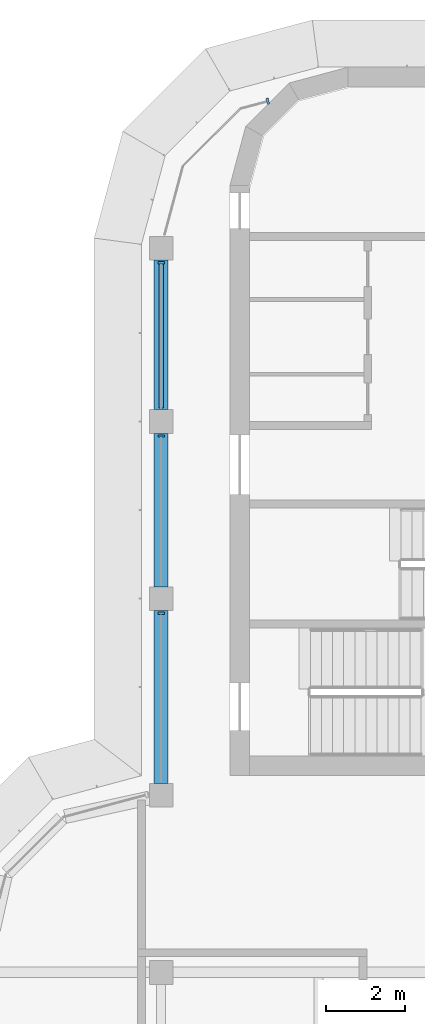
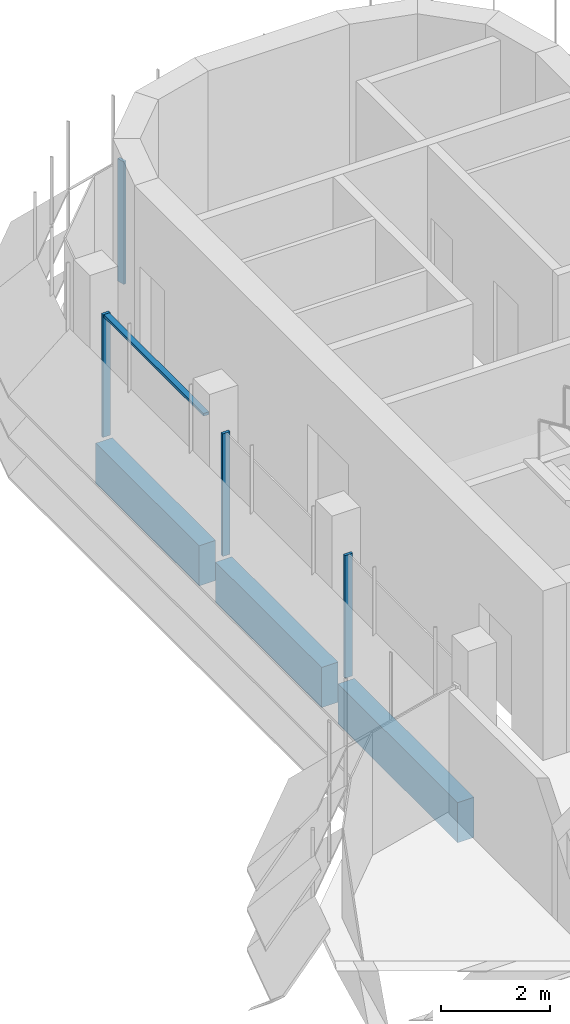
# One storey, part 7 of 19: 5 members, 3 beams, 2 elements without a shape of their own.
"""IFC4 building model written with IfcOpenShell, lengths in metres."""

import ifcopenshell
import ifcopenshell.guid

model = None  # the IFC model being written
_history = None  # IfcOwnerHistory: only IFC2X3 demands one
_inside = {}  # id of a spatial element -> (the spatial element, [elements in it])
_under = {}  # id of a project, library or spatial element -> (it, [spatial elements below it])
_declared = {}  # id of a project -> (the project, [libraries it declares])
_typed = {}  # id of a type object -> (the type object, [elements of that type])
_made_of = {}  # id of a material, layer set ... -> (it, [elements and type objects made of it])


def new_model(schema):
    """Start an empty IFC model of exactly this schema.

    Asked for "IFC4X3", IfcOpenShell would pick the latest addendum, in which some entities
    have other attributes; the version numbers below select the first issue.
    IFC2X3 requires an IfcOwnerHistory on every rooted entity: one is made here for all.
    """
    global model, _history
    if schema == "IFC4X3":
        model = ifcopenshell.file(schema_version=(4, 3, 0, 0))
    else:
        model = ifcopenshell.file(schema=schema)
    _inside.clear()
    _under.clear()
    _declared.clear()
    _typed.clear()
    _made_of.clear()
    _history = None
    if model.schema == "IFC2X3":
        org = make("IfcOrganization", Name="unknown")
        user = make(
            "IfcPersonAndOrganization",
            ThePerson=make("IfcPerson", FamilyName="unknown"),
            TheOrganization=org,
        )
        app = make(
            "IfcApplication",
            ApplicationDeveloper=org,
            Version="unknown",
            ApplicationFullName="unknown",
            ApplicationIdentifier="unknown",
        )
        _history = make(
            "IfcOwnerHistory",
            OwningUser=user,
            OwningApplication=app,
            ChangeAction="ADDED",
            CreationDate=0,
        )
    return model


def make(cls, **values):
    """One entity of the class cls with the attributes given. An attribute that is None is left unset."""
    return model.create_entity(
        cls, **{name: value for name, value in values.items() if value is not None}
    )


def rooted(cls, **values):
    """An entity with a GlobalId (a new one), such as an element, a storey or a relation."""
    return make(cls, GlobalId=ifcopenshell.guid.new(), OwnerHistory=_history, **values)


def si_unit(unit_type, name, prefix=None):
    """IfcSIUnit, for example si_unit("LENGTHUNIT", "METRE", prefix="MILLI")."""
    return make("IfcSIUnit", UnitType=unit_type, Prefix=prefix, Name=name)


def assignment(units):
    """IfcUnitAssignment: the units of a project."""
    return None if units is None else make("IfcUnitAssignment", Units=units)


def point(xyz):
    """IfcCartesianPoint."""
    return None if xyz is None else make("IfcCartesianPoint", Coordinates=xyz)


def direction(xyz):
    """IfcDirection."""
    return None if xyz is None else make("IfcDirection", DirectionRatios=xyz)


def frame(location, z_axis=None, x_axis=None):
    """IfcAxis2Placement3D, a coordinate frame: its origin and axes. An axis left out is left unset."""
    return make(
        "IfcAxis2Placement3D",
        Location=point(location),
        Axis=direction(z_axis),
        RefDirection=direction(x_axis),
    )


def frame_2d(location, x_axis=None):
    """IfcAxis2Placement2D, a coordinate frame in the plane: its origin and x axis."""
    return make(
        "IfcAxis2Placement2D", Location=point(location), RefDirection=direction(x_axis)
    )


def origin():
    """The frame at (0, 0, 0) with its axes left unset."""
    return frame((0.0, 0.0, 0.0))


def origin_2d():
    """The frame at (0, 0) in the plane with its x axis left unset."""
    return frame_2d((0.0, 0.0))


def place(relative_to, where):
    """IfcLocalPlacement: puts the frame where relative to a parent placement (None: the world)."""
    return make(
        "IfcLocalPlacement", PlacementRelTo=relative_to, RelativePlacement=where
    )


def context(
    kind, dimensions, precision=None, world=None, true_north=None, identifier=None
):
    """IfcGeometricRepresentationContext, for example the 3D "Model" context."""
    return make(
        "IfcGeometricRepresentationContext",
        ContextIdentifier=identifier,
        ContextType=kind,
        CoordinateSpaceDimension=dimensions,
        Precision=precision,
        WorldCoordinateSystem=world,
        TrueNorth=true_north,
    )


def subcontext(parent, identifier, kind, view, scale=None):
    """IfcGeometricRepresentationSubContext, for example "Body" below "Model"."""
    return make(
        "IfcGeometricRepresentationSubContext",
        ContextIdentifier=identifier,
        ContextType=kind,
        ParentContext=parent,
        TargetScale=scale,
        TargetView=view,
    )


def project(units=None, contexts=None):
    """IfcProject with its units and contexts."""
    return rooted(
        "IfcProject",
        Name="project",
        RepresentationContexts=contexts,
        UnitsInContext=assignment(units),
    )


def spatial(cls, under=None, at=None, **own):
    """A site, building, storey or space (cls), placed at a placement, below another one or the project."""
    s = rooted(cls, ObjectPlacement=at, **own)
    if under is not None:
        _under.setdefault(under.id(), (under, []))[1].append(s)
    return s


def polyline(points):
    """IfcPolyline through the points."""
    return make("IfcPolyline", Points=[point(p) for p in points])


def profile(cls, at=None, kind="AREA", **sizes):
    """A parametric profile (cls). Its sizes go by their IFC names, for example OverallWidth=200.0."""
    return make(cls, ProfileType=kind, Position=at, **sizes)


def rectangle(**sizes):
    """IfcRectangleProfileDef."""
    return profile("IfcRectangleProfileDef", **sizes)


def outline(outer, holes=None, kind="AREA"):
    """IfcArbitraryClosedProfileDef: a profile drawn as a closed curve; with holes, ...WithVoids."""
    if holes is None:
        return make("IfcArbitraryClosedProfileDef", ProfileType=kind, OuterCurve=outer)
    return make(
        "IfcArbitraryProfileDefWithVoids",
        ProfileType=kind,
        OuterCurve=outer,
        InnerCurves=holes,
    )


def extrude(swept, where, along, depth):
    """IfcExtrudedAreaSolid: the profile swept, set in the frame where, extruded along a direction by depth."""
    return make(
        "IfcExtrudedAreaSolid",
        SweptArea=swept,
        Position=where,
        ExtrudedDirection=direction(along),
        Depth=depth,
    )


def shape(context_of_items, identifier, shape_type, items):
    """IfcShapeRepresentation: the items that make up one representation, for example the "Body"."""
    return make(
        "IfcShapeRepresentation",
        ContextOfItems=context_of_items,
        RepresentationIdentifier=identifier,
        RepresentationType=shape_type,
        Items=items,
    )


def source(mapping_origin, context_of_items, identifier, shape_type, items):
    """IfcRepresentationMap: a shape defined once, which mapped items show again and again."""
    return make(
        "IfcRepresentationMap",
        MappingOrigin=mapping_origin,
        MappedRepresentation=shape(context_of_items, identifier, shape_type, items),
    )


def transform(
    local_origin,
    x_axis=None,
    y_axis=None,
    z_axis=None,
    scale=None,
    scale2=None,
    scale3=None,
    uniform=True,
):
    """IfcCartesianTransformationOperator3D, or its non-uniform kind. x_axis, y_axis, z_axis: its Axis1, 2, 3."""
    if uniform:
        return make(
            "IfcCartesianTransformationOperator3D",
            Axis1=direction(x_axis),
            Axis2=direction(y_axis),
            LocalOrigin=point(local_origin),
            Scale=scale,
            Axis3=direction(z_axis),
        )
    return make(
        "IfcCartesianTransformationOperator3DnonUniform",
        Axis1=direction(x_axis),
        Axis2=direction(y_axis),
        LocalOrigin=point(local_origin),
        Scale=scale,
        Axis3=direction(z_axis),
        Scale2=scale2,
        Scale3=scale3,
    )


def mapped(mapping_source, mapping_target):
    """IfcMappedItem: shows the shape of a source again, moved by a transform."""
    return make(
        "IfcMappedItem", MappingSource=mapping_source, MappingTarget=mapping_target
    )


def material(Name=None, Category=None):
    """IfcMaterial."""
    return make("IfcMaterial", Name=Name, Category=Category)


def material_profile(
    of_material, cross_section, Name=None, Category=None, Priority=None
):
    """IfcMaterialProfile: a cross section and its material."""
    return make(
        "IfcMaterialProfile",
        Name=Name,
        Material=of_material,
        Profile=cross_section,
        Priority=Priority,
        Category=Category,
    )


def profile_set(profiles, Name=None, composite=None):
    """IfcMaterialProfileSet."""
    return make(
        "IfcMaterialProfileSet",
        Name=Name,
        MaterialProfiles=profiles,
        CompositeProfile=composite,
    )


def made_of(thing, what):
    """Note that an element or type object is made of a material, layer set ...; save() writes the relation."""
    if what is not None:
        _made_of.setdefault(what.id(), (what, []))[1].append(thing)
    return thing


def type_object(cls, material=None, **own):
    """A type object (cls), such as IfcWallType, which elements share."""
    return made_of(rooted(cls, **own), material)


def element(
    cls,
    number,
    at=None,
    inside=None,
    cuts=None,
    type_object=None,
    material=None,
    context=None,
    identifier="Body",
    shape_type=None,
    held_by="IfcProductDefinitionShape",
    body=None,
    shapes=None,
    **own,
):
    """One element of the class cls, such as IfcWall. Its Tag is "e" and its number.

    at: its placement. inside: the storey or other place that contains it. cuts: it is an
    opening in that element (IfcRelVoidsElement). A single representation is given by context,
    identifier, shape_type and body (its items); several are given by shapes. held_by: the class
    of the entity that holds the representations. save() writes the other relations.
    """
    e = rooted(cls, Tag="e%d" % number, ObjectPlacement=at, **own)
    if body is not None:
        shapes = [shape(context, identifier, shape_type, body)]
    if shapes is not None:
        e.Representation = make(held_by, Representations=shapes)
    if inside is not None:
        _inside.setdefault(inside.id(), (inside, []))[1].append(e)
    if cuts is not None:
        rooted(
            "IfcRelVoidsElement", RelatingBuildingElement=cuts, RelatedOpeningElement=e
        )
    if type_object is not None:
        _typed.setdefault(type_object.id(), (type_object, []))[1].append(e)
    return made_of(e, material)


def aggregate(whole, parts):
    """IfcRelAggregates: a whole, such as a stair, and the parts it consists of."""
    return rooted("IfcRelAggregates", RelatingObject=whole, RelatedObjects=parts)


def save(model, path):
    """Write the relations noted so far, then the file.

    IfcRelAggregates (storeys below a building ...), IfcRelContainedInSpatialStructure (elements
    in a storey), IfcRelDefinesByType, IfcRelAssociatesMaterial and IfcRelDeclares: one each for
    every whole, place, type object, material and project.
    """
    for whole, parts in _under.values():
        aggregate(whole, parts)
    for where, things in _inside.values():
        rooted(
            "IfcRelContainedInSpatialStructure",
            RelatedElements=things,
            RelatingStructure=where,
        )
    for kind, things in _typed.values():
        rooted("IfcRelDefinesByType", RelatedObjects=things, RelatingType=kind)
    for what, things in _made_of.values():
        rooted("IfcRelAssociatesMaterial", RelatedObjects=things, RelatingMaterial=what)
    for by, libraries in _declared.values():
        rooted("IfcRelDeclares", RelatingContext=by, RelatedDefinitions=libraries)
    model.write(path)


model = new_model("IFC4")

# Units and contexts
model_context = context("Model", 3, precision=1e-05, world=origin(), true_north=direction((0.0, 1.0)))
body_context = subcontext(model_context, "Body", "Model", "MODEL_VIEW")
ifc_project = project(units=[si_unit("LENGTHUNIT", "METRE"), si_unit("AREAUNIT", "SQUARE_METRE"), si_unit("VOLUMEUNIT", "CUBIC_METRE"), si_unit("PLANEANGLEUNIT", "RADIAN"), si_unit("MASSUNIT", "GRAM", prefix="KILO")], contexts=[model_context])

# Site, building, storey
site_placement = place(None, origin())
site = spatial("IfcSite", under=ifc_project, at=site_placement, CompositionType="ELEMENT")
building_placement = place(site_placement, origin())
building = spatial("IfcBuilding", under=site, at=building_placement, Name="Zarbagh Exchange Tower", CompositionType="ELEMENT")
storey_placement = place(building_placement, frame((0.0, 0.0, 261.199951171875)))
storey = spatial("IfcBuildingStorey", under=building, at=storey_placement, Name="L64", CompositionType="ELEMENT", Elevation=261.199951171875)

# Beams
ifc_material_1 = material(Name="Concrete C40/50", Category="concrete")
ifc_material_profile = material_profile(ifc_material_1, rectangle(XDim=0.35009765625, YDim=0.89990234375, at=origin_2d()), Name="RC spandrel beam 350 x 900 C40/50")
ifc_profile_set = profile_set([ifc_material_profile], Name="Concrete C40/50")
beam_type = type_object("IfcBeamType", Name="RC spandrel beam 350 x 900 C40/50", PredefinedType="SPANDREL", material=ifc_profile_set)
beam_1_placement = place(storey_placement, frame((-6.25, 11.050048828125, -0.599853515625), z_axis=(0.0, 1.0, 0.0), x_axis=(-1.0, 0.0, 0.0)))
element("IfcBeam", 1, at=beam_1_placement, inside=storey, type_object=beam_type, Name="RC spandrel beam", PredefinedType="SPANDREL", context=body_context, shape_type="SweptSolid", body=[
    extrude(rectangle(XDim=0.35009765625, YDim=0.89990234375, at=origin_2d()), origin(), (0.0, 0.0, 1.0), 4.39990234375),
])
beam_2_placement = place(storey_placement, frame((-6.25, 16.050048828125, -0.599853515625), z_axis=(0.0, 1.0, 0.0), x_axis=(-1.0, 0.0, 0.0)))
element("IfcBeam", 2, at=beam_2_placement, inside=storey, type_object=beam_type, Name="RC spandrel beam", PredefinedType="SPANDREL", context=body_context, shape_type="SweptSolid", body=[
    extrude(rectangle(XDim=0.35009765625, YDim=0.89990234375, at=origin_2d()), origin(), (0.0, 0.0, 1.0), 3.89990234375),
])
beam_3_placement = place(storey_placement, frame((-6.25, 20.550048828125, -0.599853515625), z_axis=(0.0, 1.0, 0.0), x_axis=(-1.0, 0.0, 0.0)))
element("IfcBeam", 3, at=beam_3_placement, inside=storey, type_object=beam_type, Name="RC spandrel beam", PredefinedType="SPANDREL", context=body_context, shape_type="SweptSolid", body=[
    extrude(rectangle(XDim=0.35009765625, YDim=0.89990234375, at=origin_2d()), origin(), (0.0, 0.0, 1.0), 3.800048828125),
])

# Curtain wall, member
ifc_material_2 = material(Name="Anodised aluminium frame and glazing", Category="aluminium")
curtain_wall_type = type_object("IfcCurtainWallType", Name="CWB Ribbon glazing, upper zones", PredefinedType="NOTDEFINED", material=ifc_material_2)
curtain_wall_1_placement = place(storey_placement, origin())
curtain_wall_1 = element("IfcCurtainWall", 4, at=curtain_wall_1_placement, inside=storey, type_object=curtain_wall_type, Name="CWB70 curtain wall", PredefinedType="NOTDEFINED")
ifc_material_3 = material(Name="Anodised aluminium frame", Category="aluminium")
member_type_1 = type_object("IfcMemberType", Name="MUB Mullion, anodised aluminium frame", PredefinedType="MULLION", material=ifc_material_3)
shared_shape_1 = source(origin(), body_context, "Body", "SweptSolid", [
    extrude(outline(polyline([(0.0, -0.080078125), (0.06005859375, -0.080078125), (0.06005859375, 0.080078125), (0.0, 0.080078125), (0.0, -0.080078125)])), origin(), (0.0, 0.0, 1.0), 2.75),
])
placement = place(storey_placement, origin())
member_1 = element("IfcMember", 5, at=placement, type_object=member_type_1, Name="CWB70 mullion 1.1", PredefinedType="MULLION", context=body_context, shape_type="MappedRepresentation", body=[
    mapped(shared_shape_1, transform((-3.510009765625, 28.394775390625, 0.0), x_axis=(-0.965924289636, -0.258824779902, 0.0), y_axis=(0.258824779902, -0.965924289636, 0.0), z_axis=(0.0, 0.0, 1.0))),
])
aggregate(curtain_wall_1, [member_1])

# Curtain wall, members
curtain_wall_2_placement = place(storey_placement, origin())
curtain_wall_2 = element("IfcCurtainWall", 6, at=curtain_wall_2_placement, inside=storey, type_object=curtain_wall_type, Name="CWB73 curtain wall", PredefinedType="NOTDEFINED")
member_2 = element("IfcMember", 7, at=placement, type_object=member_type_1, Name="CWB73 mullion 1.1", PredefinedType="MULLION", context=body_context, shape_type="MappedRepresentation", body=[
    mapped(shared_shape_1, transform((-6.25, 24.31005859375, 0.0), x_axis=(0.0, -1.0, 0.0), y_axis=(1.0, 0.0, 0.0), z_axis=(0.0, 0.0, 1.0))),
])
member_3 = element("IfcMember", 8, at=placement, type_object=member_type_1, Name="CWB73 mullion 2.1", PredefinedType="MULLION", context=body_context, shape_type="MappedRepresentation", body=[
    mapped(shared_shape_1, transform((-6.25, 19.909912109375, 0.0), x_axis=(0.0, -1.0, 0.0), y_axis=(1.0, 0.0, 0.0), z_axis=(0.0, 0.0, 1.0))),
])
member_4 = element("IfcMember", 9, at=placement, type_object=member_type_1, Name="CWB73 mullion 3.1", PredefinedType="MULLION", context=body_context, shape_type="MappedRepresentation", body=[
    mapped(shared_shape_1, transform((-6.25, 15.409912109375, 0.0), x_axis=(0.0, -1.0, 0.0), y_axis=(1.0, 0.0, 0.0), z_axis=(0.0, 0.0, 1.0))),
])
member_type_2 = type_object("IfcMemberType", Name="TRB Transom, anodised aluminium frame", PredefinedType="USERDEFINED", material=ifc_material_3)
shared_shape_2 = source(origin(), body_context, "Body", "SweptSolid", [
    extrude(outline(polyline([(-0.06005859375, -0.06005859375), (0.0, -0.06005859375), (0.0, 0.06005859375), (-0.06005859375, 0.06005859375), (-0.06005859375, -0.06005859375)])), origin(), (0.0, 0.0, 1.0), 3.659912109375),
])
member_5 = element("IfcMember", 10, at=placement, type_object=member_type_2, Name="CWB73 transom 1.1", ObjectType="TRANSOM", PredefinedType="USERDEFINED", context=body_context, shape_type="MappedRepresentation", body=[
    mapped(shared_shape_2, transform((-6.25, 24.25, 2.75), x_axis=(0.0, 0.0, 1.0), y_axis=(-1.0, 0.0, 0.0), z_axis=(0.0, -1.0, 0.0))),
])
aggregate(curtain_wall_2, [member_2, member_5, member_3, member_4])

save(model, "model.ifc")
